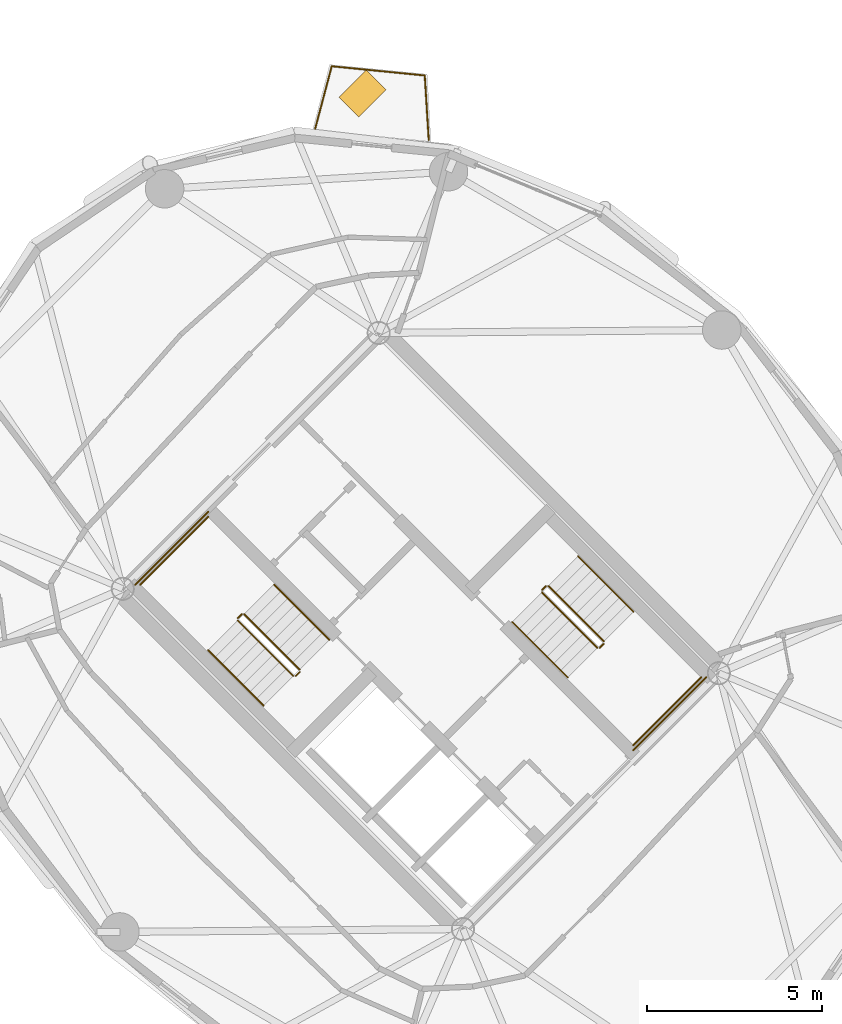
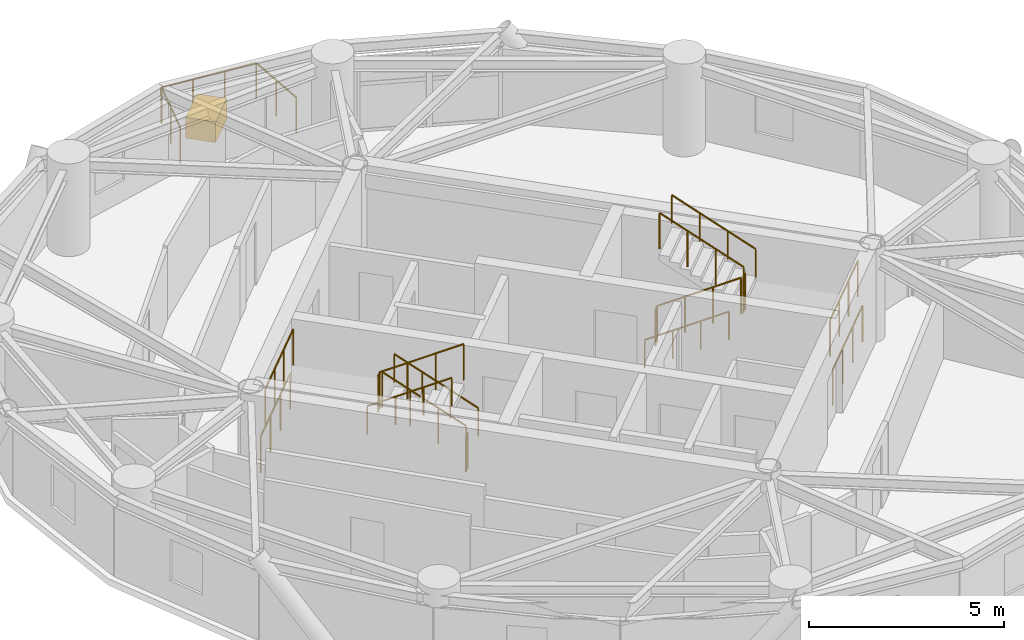
# One storey, part 15 of 16: 17 railings, 1 covering.
"""IFC4 building model written with IfcOpenShell, lengths in metres."""

from ifc_helpers import new_model, si_unit, direction, frame, origin, origin_2d, place, context, subcontext, project, spatial, rectangle, circle, extrude, source, transform, mapped, material, layer, layer_set, type_object, element, save


model = new_model("IFC4")

# Units and contexts
model_context = context("Model", 3, precision=1e-05, world=origin(), true_north=direction((0.0, 1.0)))
body_context = subcontext(model_context, "Body", "Model", "MODEL_VIEW")
ifc_project = project(units=[si_unit("LENGTHUNIT", "METRE"), si_unit("AREAUNIT", "SQUARE_METRE"), si_unit("VOLUMEUNIT", "CUBIC_METRE"), si_unit("PLANEANGLEUNIT", "RADIAN"), si_unit("MASSUNIT", "GRAM", prefix="KILO")], contexts=[model_context])

# Site, building, storey
site_placement = place(None, origin())
site = spatial("IfcSite", under=ifc_project, at=site_placement, CompositionType="ELEMENT")
building_placement = place(site_placement, origin())
building = spatial("IfcBuilding", under=site, at=building_placement, Name="Cununo Teusaquillo Station Towers", CompositionType="ELEMENT")
storey_placement = place(building_placement, frame((0.0, 0.0, 217.030029296875)))
storey = spatial("IfcBuildingStorey", under=building, at=storey_placement, Name="L69", CompositionType="ELEMENT", Elevation=217.030029296875)

# Railings
ifc_material_1 = material(Name="Anodised dark bronze aluminium EN AW-6063-T6", Category="aluminium")
railing_type_1 = type_object("IfcRailingType", Name="RL-EXT-GUARD", PredefinedType="GUARDRAIL", material=ifc_material_1)
railing_1_placement = place(storey_placement, frame((54.476806640625, 38.8583984375, 0.0)))
element("IfcRailing", 1, at=railing_1_placement, inside=storey, type_object=railing_type_1, Name="L69 Tower B Balcony Guardrail C02", PredefinedType="GUARDRAIL", context=body_context, shape_type="SweptSolid", body=[
    extrude(circle(Radius=0.02392578125, at=origin_2d()), frame((0.0, 0.0, 1.1259765625), z_axis=(0.256417131113, 0.966566218565, 0.0), x_axis=(-0.966566218565, 0.256417131113, 0.0)), (0.0, 0.0, 1.0), 1.854736328125),
    extrude(circle(Radius=0.02392578125, at=origin_2d()), frame((0.4755859375, 1.792724609375, 1.1259765625), z_axis=(0.995123619559, -0.098635601058, 0.0), x_axis=(0.098635601058, 0.995123619559, 0.0)), (0.0, 0.0, 1.0), 2.673095703125),
    extrude(circle(Radius=0.02392578125, at=origin_2d()), frame((3.1357421875, 1.529052734375, 1.1259765625), z_axis=(0.061615983027, -0.998099930185, 0.0), x_axis=(0.998099930185, 0.061615983027, 0.0)), (0.0, 0.0, 1.0), 1.854248046875),
    extrude(circle(Radius=0.02099609375, at=origin_2d()), origin(), (0.0, 0.0, 1.0), 1.101806640625),
    extrude(circle(Radius=0.02099609375, at=origin_2d()), frame((0.23779296875, 0.896484375, 0.0)), (0.0, 0.0, 1.0), 1.101806640625),
    extrude(circle(Radius=0.02099609375, at=origin_2d()), frame((0.4755859375, 1.792724609375, 0.0)), (0.0, 0.0, 1.0), 1.101806640625),
    extrude(circle(Radius=0.02099609375, at=origin_2d()), frame((1.3623046875, 1.704833984375, 0.0)), (0.0, 0.0, 1.0), 1.101806640625),
    extrude(circle(Radius=0.02099609375, at=origin_2d()), frame((2.2490234375, 1.616943359375, 0.0)), (0.0, 0.0, 1.0), 1.101806640625),
    extrude(circle(Radius=0.02099609375, at=origin_2d()), frame((3.1357421875, 1.529052734375, 0.0)), (0.0, 0.0, 1.0), 1.101806640625),
    extrude(circle(Radius=0.02099609375, at=origin_2d()), frame((3.19287109375, 0.603515625, 0.0)), (0.0, 0.0, 1.0), 1.101806640625),
    extrude(circle(Radius=0.02099609375, at=origin_2d()), frame((3.25, -0.32177734375, 0.0)), (0.0, 0.0, 1.0), 1.101806640625),
])
ifc_material_2 = material(Name="Steel EN 10025-2 S355J2", Category="steel")
railing_type_2 = type_object("IfcRailingType", Name="RL-INT-GUARD", PredefinedType="GUARDRAIL", material=ifc_material_2)
railing_2_placement = place(storey_placement, frame((54.03515625, 23.39697265625, 0.16162109375)))
element("IfcRailing", 2, at=railing_2_placement, inside=storey, type_object=railing_type_2, Name="L69 ST-T2-1 stair guard 1", PredefinedType="GUARDRAIL", context=body_context, shape_type="SweptSolid", body=[
    extrude(circle(Radius=0.02392578125, at=origin_2d()), frame((0.0, 0.0, 1.1259765625), z_axis=(-0.612332353853, 0.612332353853, 0.500098167213), x_axis=(-0.707106781187, -0.707106781187, 0.0)), (0.0, 0.0, 1.0), 2.58642578125),
    extrude(circle(Radius=0.02099609375, at=origin_2d()), origin(), (0.0, 0.0, 1.0), 1.101806640625),
    extrude(circle(Radius=0.02099609375, at=origin_2d()), frame((-0.52783203125, 0.52783203125, 0.43115234375)), (0.0, 0.0, 1.0), 1.101806640625),
    extrude(circle(Radius=0.02099609375, at=origin_2d()), frame((-1.055908203125, 1.055908203125, 0.8623046875)), (0.0, 0.0, 1.0), 1.101806640625),
    extrude(circle(Radius=0.02099609375, at=origin_2d()), frame((-1.583740234375, 1.583740234375, 1.29345703125)), (0.0, 0.0, 1.0), 1.101806640625),
])
railing_3_placement = place(storey_placement, frame((52.380615234375, 24.980712890625, 1.455078125)))
element("IfcRailing", 3, at=railing_3_placement, inside=storey, type_object=railing_type_2, Name="L69 ST-T2-1 stair guard 2", PredefinedType="GUARDRAIL", context=body_context, shape_type="SweptSolid", body=[
    extrude(circle(Radius=0.02392578125, at=origin_2d()), frame((0.0, 0.0, 1.1259765625), z_axis=(-0.7078691598, -0.706343579714, 0.0), x_axis=(0.706343579714, -0.7078691598, 0.0)), (0.0, 0.0, 1.0), 0.159912109375),
    extrude(circle(Radius=0.02099609375, at=origin_2d()), origin(), (0.0, 0.0, 1.0), 1.101806640625),
    extrude(circle(Radius=0.02099609375, at=origin_2d()), frame((-0.11328125, -0.113037109375, 0.0)), (0.0, 0.0, 1.0), 1.101806640625),
])
railing_4_placement = place(storey_placement, frame((51.426025390625, 27.77392578125, 1.455078125)))
element("IfcRailing", 4, at=railing_4_placement, inside=storey, type_object=railing_type_2, Name="L69 ST-T2-1 stair guard 3", PredefinedType="GUARDRAIL", context=body_context, shape_type="SweptSolid", body=[
    extrude(circle(Radius=0.02392578125, at=origin_2d()), frame((0.0, 0.0, 1.1259765625), z_axis=(-0.707106781187, -0.707106781187, 0.0), x_axis=(0.707106781187, -0.707106781187, 0.0)), (0.0, 0.0, 1.0), 2.760009765625),
    extrude(circle(Radius=0.02099609375, at=origin_2d()), origin(), (0.0, 0.0, 1.0), 1.101806640625),
    extrude(circle(Radius=0.02099609375, at=origin_2d()), frame((-0.650634765625, -0.650634765625, 0.0)), (0.0, 0.0, 1.0), 1.101806640625),
    extrude(circle(Radius=0.02099609375, at=origin_2d()), frame((-1.301025390625, -1.301025390625, 0.0)), (0.0, 0.0, 1.0), 1.101806640625),
    extrude(circle(Radius=0.02099609375, at=origin_2d()), frame((-1.95166015625, -1.95166015625, 0.0)), (0.0, 0.0, 1.0), 1.101806640625),
])
railing_5_placement = place(storey_placement, frame((52.267333984375, 24.796875, 1.61669921875)))
element("IfcRailing", 5, at=railing_5_placement, inside=storey, type_object=railing_type_2, Name="L69 ST-T2-1 stair guard 4", PredefinedType="GUARDRAIL", context=body_context, shape_type="SweptSolid", body=[
    extrude(circle(Radius=0.02392578125, at=origin_2d()), frame((0.0, 0.0, 1.1259765625), z_axis=(0.612420254088, -0.612325861324, 0.499998471934), x_axis=(0.707052281454, 0.707161276719, 0.0)), (0.0, 0.0, 1.0), 2.58642578125),
    extrude(circle(Radius=0.02099609375, at=origin_2d()), origin(), (0.0, 0.0, 1.0), 1.101806640625),
    extrude(circle(Radius=0.02099609375, at=origin_2d()), frame((0.528076171875, -0.52783203125, 0.43115234375)), (0.0, 0.0, 1.0), 1.101806640625),
    extrude(circle(Radius=0.02099609375, at=origin_2d()), frame((1.055908203125, -1.055908203125, 0.862060546875)), (0.0, 0.0, 1.0), 1.101806640625),
    extrude(circle(Radius=0.02099609375, at=origin_2d()), frame((1.583984375, -1.583740234375, 1.293212890625)), (0.0, 0.0, 1.0), 1.101806640625),
])
railing_6_placement = place(storey_placement, frame((54.03515625, 23.326171875, 0.0)))
element("IfcRailing", 6, at=railing_6_placement, inside=storey, type_object=railing_type_2, Name="L69 ST-T2-1 stair guard 5", PredefinedType="GUARDRAIL", context=body_context, shape_type="SweptSolid", body=[
    extrude(circle(Radius=0.02392578125, at=origin_2d()), frame((0.0, 0.0, 1.1259765625), z_axis=(-0.707106781187, -0.707106781187, 0.0), x_axis=(0.707106781187, -0.707106781187, 0.0)), (0.0, 0.0, 1.0), 0.159912109375),
    extrude(circle(Radius=0.02099609375, at=origin_2d()), origin(), (0.0, 0.0, 1.0), 1.101806640625),
    extrude(circle(Radius=0.02099609375, at=origin_2d()), frame((-0.113037109375, -0.113037109375, 0.0)), (0.0, 0.0, 1.0), 1.101806640625),
])
railing_7_placement = place(storey_placement, frame((51.426025390625, 27.915283203125, 0.0)))
element("IfcRailing", 7, at=railing_7_placement, inside=storey, type_object=railing_type_2, Name="L69 ST-T2-1 stair guard 6", PredefinedType="GUARDRAIL", context=body_context, shape_type="SweptSolid", body=[
    extrude(circle(Radius=0.02392578125, at=origin_2d()), frame((0.0, 0.0, 1.1259765625), z_axis=(-0.707106781187, -0.707106781187, 0.0), x_axis=(0.707106781187, -0.707106781187, 0.0)), (0.0, 0.0, 1.0), 2.9599609375),
    extrude(circle(Radius=0.02099609375, at=origin_2d()), origin(), (0.0, 0.0, 1.0), 1.101806640625),
    extrude(circle(Radius=0.02099609375, at=origin_2d()), frame((-0.69775390625, -0.69775390625, 0.0)), (0.0, 0.0, 1.0), 1.101806640625),
    extrude(circle(Radius=0.02099609375, at=origin_2d()), frame((-1.395263671875, -1.395263671875, 0.0)), (0.0, 0.0, 1.0), 1.101806640625),
    extrude(circle(Radius=0.02099609375, at=origin_2d()), frame((-2.093017578125, -2.093017578125, 0.0)), (0.0, 0.0, 1.0), 1.101806640625),
])
railing_8_placement = place(storey_placement, frame((60.96484375, 25.60302734375, 0.16162109375)))
element("IfcRailing", 8, at=railing_8_placement, inside=storey, type_object=railing_type_2, Name="L69 ST-T2-2 stair guard 1", PredefinedType="GUARDRAIL", context=body_context, shape_type="SweptSolid", body=[
    extrude(circle(Radius=0.02392578125, at=origin_2d()), frame((0.0, 0.0, 1.1259765625), z_axis=(0.612332353853, -0.612332353853, 0.500098167213), x_axis=(0.707106781187, 0.707106781187, 0.0)), (0.0, 0.0, 1.0), 2.58642578125),
    extrude(circle(Radius=0.02099609375, at=origin_2d()), origin(), (0.0, 0.0, 1.0), 1.101806640625),
    extrude(circle(Radius=0.02099609375, at=origin_2d()), frame((0.52783203125, -0.52783203125, 0.43115234375)), (0.0, 0.0, 1.0), 1.101806640625),
    extrude(circle(Radius=0.02099609375, at=origin_2d()), frame((1.055908203125, -1.055908203125, 0.8623046875)), (0.0, 0.0, 1.0), 1.101806640625),
    extrude(circle(Radius=0.02099609375, at=origin_2d()), frame((1.583740234375, -1.583740234375, 1.29345703125)), (0.0, 0.0, 1.0), 1.101806640625),
])
railing_9_placement = place(storey_placement, frame((62.619384765625, 24.019287109375, 1.455078125)))
element("IfcRailing", 9, at=railing_9_placement, inside=storey, type_object=railing_type_2, Name="L69 ST-T2-2 stair guard 2", PredefinedType="GUARDRAIL", context=body_context, shape_type="SweptSolid", body=[
    extrude(circle(Radius=0.02392578125, at=origin_2d()), frame((0.0, 0.0, 1.1259765625), z_axis=(0.7078691598, 0.706343579714, 0.0), x_axis=(-0.706343579714, 0.7078691598, 0.0)), (0.0, 0.0, 1.0), 0.159912109375),
    extrude(circle(Radius=0.02099609375, at=origin_2d()), origin(), (0.0, 0.0, 1.0), 1.101806640625),
    extrude(circle(Radius=0.02099609375, at=origin_2d()), frame((0.11328125, 0.113037109375, 0.0)), (0.0, 0.0, 1.0), 1.101806640625),
])
railing_10_placement = place(storey_placement, frame((63.573974609375, 21.22607421875, 1.455078125)))
element("IfcRailing", 10, at=railing_10_placement, inside=storey, type_object=railing_type_2, Name="L69 ST-T2-2 stair guard 3", PredefinedType="GUARDRAIL", context=body_context, shape_type="SweptSolid", body=[
    extrude(circle(Radius=0.02392578125, at=origin_2d()), frame((0.0, 0.0, 1.1259765625), z_axis=(0.707106781187, 0.707106781187, 0.0), x_axis=(-0.707106781187, 0.707106781187, 0.0)), (0.0, 0.0, 1.0), 2.760009765625),
    extrude(circle(Radius=0.02099609375, at=origin_2d()), origin(), (0.0, 0.0, 1.0), 1.101806640625),
    extrude(circle(Radius=0.02099609375, at=origin_2d()), frame((0.650634765625, 0.650634765625, 0.0)), (0.0, 0.0, 1.0), 1.101806640625),
    extrude(circle(Radius=0.02099609375, at=origin_2d()), frame((1.301025390625, 1.301025390625, 0.0)), (0.0, 0.0, 1.0), 1.101806640625),
    extrude(circle(Radius=0.02099609375, at=origin_2d()), frame((1.95166015625, 1.95166015625, 0.0)), (0.0, 0.0, 1.0), 1.101806640625),
])
railing_11_placement = place(storey_placement, frame((62.732666015625, 24.203125, 1.61669921875)))
element("IfcRailing", 11, at=railing_11_placement, inside=storey, type_object=railing_type_2, Name="L69 ST-T2-2 stair guard 4", PredefinedType="GUARDRAIL", context=body_context, shape_type="SweptSolid", body=[
    extrude(circle(Radius=0.02392578125, at=origin_2d()), frame((0.0, 0.0, 1.1259765625), z_axis=(-0.612420254088, 0.612325861324, 0.499998471934), x_axis=(-0.707052281454, -0.707161276719, 0.0)), (0.0, 0.0, 1.0), 2.58642578125),
    extrude(circle(Radius=0.02099609375, at=origin_2d()), origin(), (0.0, 0.0, 1.0), 1.101806640625),
    extrude(circle(Radius=0.02099609375, at=origin_2d()), frame((-0.528076171875, 0.52783203125, 0.43115234375)), (0.0, 0.0, 1.0), 1.101806640625),
    extrude(circle(Radius=0.02099609375, at=origin_2d()), frame((-1.055908203125, 1.055908203125, 0.862060546875)), (0.0, 0.0, 1.0), 1.101806640625),
    extrude(circle(Radius=0.02099609375, at=origin_2d()), frame((-1.583984375, 1.583740234375, 1.293212890625)), (0.0, 0.0, 1.0), 1.101806640625),
])
railing_12_placement = place(storey_placement, frame((60.96484375, 25.673828125, 0.0)))
element("IfcRailing", 12, at=railing_12_placement, inside=storey, type_object=railing_type_2, Name="L69 ST-T2-2 stair guard 5", PredefinedType="GUARDRAIL", context=body_context, shape_type="SweptSolid", body=[
    extrude(circle(Radius=0.02392578125, at=origin_2d()), frame((0.0, 0.0, 1.1259765625), z_axis=(0.707106781187, 0.707106781187, 0.0), x_axis=(-0.707106781187, 0.707106781187, 0.0)), (0.0, 0.0, 1.0), 0.159912109375),
    extrude(circle(Radius=0.02099609375, at=origin_2d()), origin(), (0.0, 0.0, 1.0), 1.101806640625),
    extrude(circle(Radius=0.02099609375, at=origin_2d()), frame((0.113037109375, 0.113037109375, 0.0)), (0.0, 0.0, 1.0), 1.101806640625),
])
railing_13_placement = place(storey_placement, frame((63.573974609375, 21.084716796875, 0.0)))
element("IfcRailing", 13, at=railing_13_placement, inside=storey, type_object=railing_type_2, Name="L69 ST-T2-2 stair guard 6", PredefinedType="GUARDRAIL", context=body_context, shape_type="SweptSolid", body=[
    extrude(circle(Radius=0.02392578125, at=origin_2d()), frame((0.0, 0.0, 1.1259765625), z_axis=(0.707106781187, 0.707106781187, 0.0), x_axis=(-0.707106781187, 0.707106781187, 0.0)), (0.0, 0.0, 1.0), 2.9599609375),
    extrude(circle(Radius=0.02099609375, at=origin_2d()), origin(), (0.0, 0.0, 1.0), 1.101806640625),
    extrude(circle(Radius=0.02099609375, at=origin_2d()), frame((0.69775390625, 0.69775390625, 0.0)), (0.0, 0.0, 1.0), 1.101806640625),
    extrude(circle(Radius=0.02099609375, at=origin_2d()), frame((1.395263671875, 1.395263671875, 0.0)), (0.0, 0.0, 1.0), 1.101806640625),
    extrude(circle(Radius=0.02099609375, at=origin_2d()), frame((2.093017578125, 2.093017578125, 0.0)), (0.0, 0.0, 1.0), 1.101806640625),
])
ifc_material_3 = material(Name="Steel EN 10025-2 S355J2", Category="steel")
railing_type_3 = type_object("IfcRailingType", Name="RL-INT-HRAIL", PredefinedType="HANDRAIL", material=ifc_material_3)
railing_14_placement = place(storey_placement, frame((54.8837890625, 24.245361328125, 0.16162109375)))
element("IfcRailing", 14, at=railing_14_placement, inside=storey, type_object=railing_type_3, Name="L69 ST-T2-1 stair handrail 1", PredefinedType="HANDRAIL", context=body_context, shape_type="SweptSolid", body=[
    extrude(circle(Radius=0.02392578125, at=origin_2d()), frame((0.0, 0.0, 0.8759765625), z_axis=(-0.612355957468, 0.612355957468, 0.500040361077), x_axis=(-0.707106781187, -0.707106781187, 0.0)), (0.0, 0.0, 1.0), 2.586669921875),
    extrude(circle(Radius=0.02099609375, at=origin_2d()), origin(), (0.0, 0.0, 1.0), 0.851806640625),
    extrude(circle(Radius=0.02099609375, at=origin_2d()), frame((-0.528076171875, 0.528076171875, 0.43115234375)), (0.0, 0.0, 1.0), 0.851806640625),
    extrude(circle(Radius=0.02099609375, at=origin_2d()), frame((-1.055908203125, 1.055908203125, 0.8623046875)), (0.0, 0.0, 1.0), 0.851806640625),
    extrude(circle(Radius=0.02099609375, at=origin_2d()), frame((-1.583984375, 1.583984375, 1.29345703125)), (0.0, 0.0, 1.0), 0.851806640625),
])
railing_15_placement = place(storey_placement, frame((51.4189453125, 23.948486328125, 1.61669921875)))
element("IfcRailing", 15, at=railing_15_placement, inside=storey, type_object=railing_type_3, Name="L69 ST-T2-1 stair handrail 2", PredefinedType="HANDRAIL", context=body_context, shape_type="SweptSolid", body=[
    extrude(circle(Radius=0.02392578125, at=origin_2d()), frame((0.0, 0.0, 0.8759765625), z_axis=(0.612384857071, -0.612384857071, 0.499969572735), x_axis=(0.707106781187, 0.707106781187, 0.0)), (0.0, 0.0, 1.0), 2.586669921875),
    extrude(circle(Radius=0.02099609375, at=origin_2d()), origin(), (0.0, 0.0, 1.0), 0.851806640625),
    extrude(circle(Radius=0.02099609375, at=origin_2d()), frame((0.528076171875, -0.528076171875, 0.43115234375)), (0.0, 0.0, 1.0), 0.851806640625),
    extrude(circle(Radius=0.02099609375, at=origin_2d()), frame((1.055908203125, -1.055908203125, 0.862060546875)), (0.0, 0.0, 1.0), 0.851806640625),
    extrude(circle(Radius=0.02099609375, at=origin_2d()), frame((1.583984375, -1.583984375, 1.293212890625)), (0.0, 0.0, 1.0), 0.851806640625),
])
railing_16_placement = place(storey_placement, frame((60.1162109375, 24.754638671875, 0.16162109375)))
element("IfcRailing", 16, at=railing_16_placement, inside=storey, type_object=railing_type_3, Name="L69 ST-T2-2 stair handrail 1", PredefinedType="HANDRAIL", context=body_context, shape_type="SweptSolid", body=[
    extrude(circle(Radius=0.02392578125, at=origin_2d()), frame((0.0, 0.0, 0.8759765625), z_axis=(0.612355957468, -0.612355957468, 0.500040361077), x_axis=(0.707106781187, 0.707106781187, 0.0)), (0.0, 0.0, 1.0), 2.586669921875),
    extrude(circle(Radius=0.02099609375, at=origin_2d()), origin(), (0.0, 0.0, 1.0), 0.851806640625),
    extrude(circle(Radius=0.02099609375, at=origin_2d()), frame((0.528076171875, -0.528076171875, 0.43115234375)), (0.0, 0.0, 1.0), 0.851806640625),
    extrude(circle(Radius=0.02099609375, at=origin_2d()), frame((1.055908203125, -1.055908203125, 0.8623046875)), (0.0, 0.0, 1.0), 0.851806640625),
    extrude(circle(Radius=0.02099609375, at=origin_2d()), frame((1.583984375, -1.583984375, 1.29345703125)), (0.0, 0.0, 1.0), 0.851806640625),
])
railing_17_placement = place(storey_placement, frame((63.5810546875, 25.051513671875, 1.61669921875)))
element("IfcRailing", 17, at=railing_17_placement, inside=storey, type_object=railing_type_3, Name="L69 ST-T2-2 stair handrail 2", PredefinedType="HANDRAIL", context=body_context, shape_type="SweptSolid", body=[
    extrude(circle(Radius=0.02392578125, at=origin_2d()), frame((0.0, 0.0, 0.8759765625), z_axis=(-0.612384857071, 0.612384857071, 0.499969572735), x_axis=(-0.707106781187, -0.707106781187, 0.0)), (0.0, 0.0, 1.0), 2.586669921875),
    extrude(circle(Radius=0.02099609375, at=origin_2d()), origin(), (0.0, 0.0, 1.0), 0.851806640625),
    extrude(circle(Radius=0.02099609375, at=origin_2d()), frame((-0.528076171875, 0.528076171875, 0.43115234375)), (0.0, 0.0, 1.0), 0.851806640625),
    extrude(circle(Radius=0.02099609375, at=origin_2d()), frame((-1.055908203125, 1.055908203125, 0.862060546875)), (0.0, 0.0, 1.0), 0.851806640625),
    extrude(circle(Radius=0.02099609375, at=origin_2d()), frame((-1.583984375, 1.583984375, 1.293212890625)), (0.0, 0.0, 1.0), 0.851806640625),
])

# Covering
ifc_material_4 = material(Name="Architectural GRC planter shell and engineered root-zone substrate", Category="concrete")
ifc_layer = layer(ifc_material_4, 0.64990234375)
ifc_layer_set = layer_set([ifc_layer], Name="Architectural GRC planter shell and engineered root-zone substrate")
covering_type = type_object("IfcCoveringType", Name="COV-TREE-PLANTER", PredefinedType="CLADDING", material=ifc_layer_set)
shared_shape = source(origin(), body_context, "Body", "SweptSolid", [
    extrude(rectangle(XDim=1.10009765625, YDim=0.800048828125, at=origin_2d()), origin(), (0.0, 0.0, 1.0), 0.64990234375),
])
covering_placement = place(storey_placement, frame((55.831298828125, 39.872314453125, 0.0), z_axis=(0.0, 0.0, 1.0), x_axis=(0.707106781187, 0.707106781187, 0.0)))
element("IfcCovering", 18, at=covering_placement, inside=storey, type_object=covering_type, Name="L69 Tower B Balcony Tree PLANTER C02", PredefinedType="CLADDING", context=body_context, shape_type="MappedRepresentation", body=[
    mapped(shared_shape, transform((0.0, 0.0, 0.0), x_axis=(1.0, 0.0, 0.0), y_axis=(0.0, 1.0, 0.0), z_axis=(0.0, 0.0, 1.0), scale=1.0)),
])

save(model, "model.ifc")
